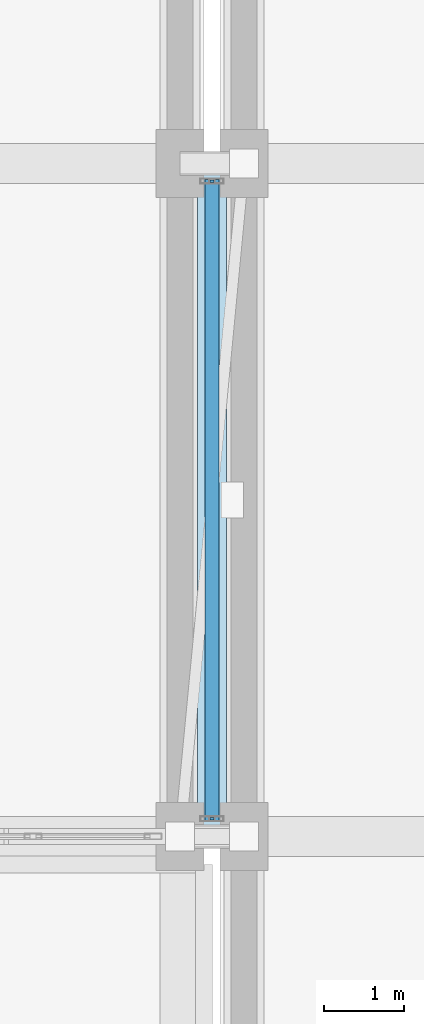
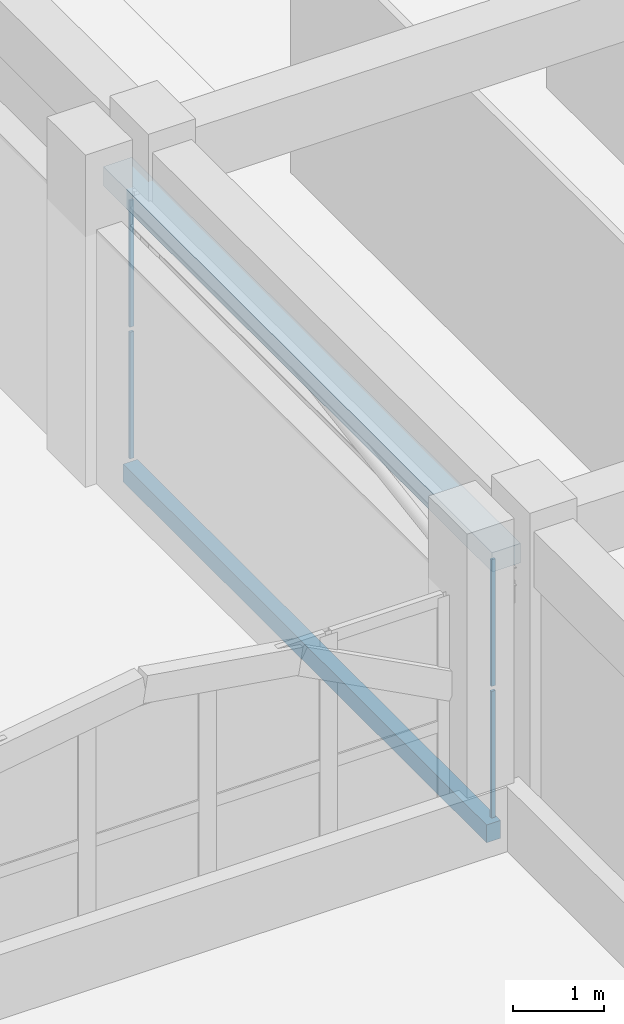
# One storey, part 99 of 129: 4 plates, 2 slabs, 2 elements without a shape of their own.
"""IFC4 building model written with IfcOpenShell, lengths in metres."""

from ifc_helpers import new_model, si_unit, direction, frame, origin, origin_2d, place, context, subcontext, project, spatial, polyline, rectangle, outline, extrude, material, layer, layer_set, type_object, element, aggregate, save


model = new_model("IFC4")

# Units and contexts
model_context = context("Model", 3, precision=1e-05, world=origin(), true_north=direction((0.0, 1.0)))
body_context = subcontext(model_context, "Body", "Model", "MODEL_VIEW")
ifc_project = project(units=[si_unit("LENGTHUNIT", "METRE"), si_unit("AREAUNIT", "SQUARE_METRE"), si_unit("VOLUMEUNIT", "CUBIC_METRE"), si_unit("PLANEANGLEUNIT", "RADIAN"), si_unit("MASSUNIT", "GRAM", prefix="KILO")], contexts=[model_context])

# Site, building, storey
site_placement = place(None, origin())
site = spatial("IfcSite", under=ifc_project, at=site_placement, CompositionType="ELEMENT")
building_placement = place(site_placement, origin())
building = spatial("IfcBuilding", under=site, at=building_placement, Name="Xazarin Passage Department Store", CompositionType="ELEMENT")
storey_placement = place(building_placement, frame((0.0, 0.0, 9.89990234375)))
storey = spatial("IfcBuildingStorey", under=building, at=storey_placement, Name="L02", CompositionType="ELEMENT", Elevation=9.89990234375)

# Curtain wall, plates
ifc_material_1 = material(Name="Bronze anodised aluminium", Category="aluminium")
ifc_layer_1 = layer(ifc_material_1, 0.14990234375)
ifc_layer_set_1 = layer_set([ifc_layer_1], Name="Bronze anodised aluminium")
curtain_wall_type = type_object("IfcCurtainWallType", Name="ARC-CW-BRG1", PredefinedType="NOTDEFINED", material=ifc_layer_set_1)
curtain_wall_1_placement = place(storey_placement, origin())
curtain_wall_1 = element("IfcCurtainWall", 1, at=curtain_wall_1_placement, inside=storey, type_object=curtain_wall_type, Name="L02 BR-V1-V2N Bridge Curtain Wall 1", PredefinedType="NOTDEFINED")
ifc_material_2 = material(Name="Low-E laminated safety glass", Category="glass")
ifc_layer_2 = layer(ifc_material_2, 0.028076171875)
ifc_layer_set_2 = layer_set([ifc_layer_2], Name="Low-E laminated safety glass")
plate_type = type_object("IfcPlateType", Name="ARC-CWP-GLZ28", PredefinedType="CURTAIN_PANEL", material=ifc_layer_set_2)
plate_1_placement = place(storey_placement, frame((67.60009765625, 68.219970703125, 0.06494140625), z_axis=(0.0, 0.0, 1.0), x_axis=(1.0, 0.0, 0.0)))
plate_1 = element("IfcPlate", 2, at=plate_1_placement, type_object=plate_type, Name="CW7 panel 1.1", PredefinedType="CURTAIN_PANEL", context=body_context, shape_type="SweptSolid", body=[
    extrude(rectangle(XDim=0.050048828125, YDim=0.028076171875, at=origin_2d()), origin(), (0.0, 0.0, 1.0), 1.702392578125),
])
plate_2_placement = place(storey_placement, frame((67.60009765625, 68.219970703125, 1.83251953125), z_axis=(0.0, 0.0, 1.0), x_axis=(1.0, 0.0, 0.0)))
plate_2 = element("IfcPlate", 3, at=plate_2_placement, type_object=plate_type, Name="CW7 panel 1.2", PredefinedType="CURTAIN_PANEL", context=body_context, shape_type="SweptSolid", body=[
    extrude(rectangle(XDim=0.050048828125, YDim=0.028076171875, at=origin_2d()), origin(), (0.0, 0.0, 1.0), 1.702392578125),
])
aggregate(curtain_wall_1, [plate_1, plate_2])

curtain_wall_2_placement = place(storey_placement, origin())
curtain_wall_2 = element("IfcCurtainWall", 4, at=curtain_wall_2_placement, inside=storey, type_object=curtain_wall_type, Name="L02 BR-V1-V2N Bridge Curtain Wall 2", PredefinedType="NOTDEFINED")
plate_3_placement = place(storey_placement, frame((67.60009765625, 76.179931640625, 0.06494140625), z_axis=(0.0, 0.0, 1.0), x_axis=(1.0, 0.0, 0.0)))
plate_3 = element("IfcPlate", 5, at=plate_3_placement, type_object=plate_type, Name="CW7 panel 1.1", PredefinedType="CURTAIN_PANEL", context=body_context, shape_type="SweptSolid", body=[
    extrude(rectangle(XDim=0.050048828125, YDim=0.028076171875, at=origin_2d()), origin(), (0.0, 0.0, 1.0), 1.702392578125),
])
plate_4_placement = place(storey_placement, frame((67.60009765625, 76.179931640625, 1.83251953125), z_axis=(0.0, 0.0, 1.0), x_axis=(1.0, 0.0, 0.0)))
plate_4 = element("IfcPlate", 6, at=plate_4_placement, type_object=plate_type, Name="CW7 panel 1.2", PredefinedType="CURTAIN_PANEL", context=body_context, shape_type="SweptSolid", body=[
    extrude(rectangle(XDim=0.050048828125, YDim=0.028076171875, at=origin_2d()), origin(), (0.0, 0.0, 1.0), 1.702392578125),
])
aggregate(curtain_wall_2, [plate_3, plate_4])

# Slabs
ifc_material_3 = material(Name="Concrete C35/45", Category="concrete")
ifc_layer_3 = layer(ifc_material_3, 0.239990234375)
ifc_layer_set_3 = layer_set([ifc_layer_3], Name="Concrete C35/45")
slab_type_1 = type_object("IfcSlabType", Name="STR-SLB-BRG240", PredefinedType="FLOOR", material=ifc_layer_set_3)
slab_1_placement = place(storey_placement, frame((0.0, 0.0, -0.239990234375)))
element("IfcSlab", 7, at=slab_1_placement, inside=storey, type_object=slab_type_1, Name="L02 BR-V1-V2N Bridge Floor Deck", PredefinedType="FLOOR", context=body_context, shape_type="SweptSolid", body=[
    extrude(outline(polyline([(67.510009765625, 68.199951171875), (67.68994140625, 68.199951171875), (67.68994140625, 76.199951171875), (67.510009765625, 76.199951171875), (67.510009765625, 68.199951171875)])), origin(), (0.0, 0.0, 1.0), 0.239990234375),
])
ifc_layer_4 = layer(ifc_material_3, 0.260009765625)
ifc_layer_set_4 = layer_set([ifc_layer_4], Name="Concrete C35/45")
slab_type_2 = type_object("IfcSlabType", Name="STR-SLB-RF260", PredefinedType="ROOF", material=ifc_layer_set_4)
slab_2_placement = place(storey_placement, frame((0.0, 0.0, 3.60009765625)))
element("IfcSlab", 8, at=slab_2_placement, inside=storey, type_object=slab_type_2, Name="L02 BR-V1-V2N Bridge Roof Deck", PredefinedType="ROOF", context=body_context, shape_type="SweptSolid", body=[
    extrude(outline(polyline([(67.419921875, 67.919921875), (67.780029296875, 67.919921875), (67.780029296875, 76.47998046875), (67.419921875, 76.47998046875), (67.419921875, 67.919921875)])), origin(), (0.0, 0.0, 1.0), 0.260009765625),
])

save(model, "model.ifc")
